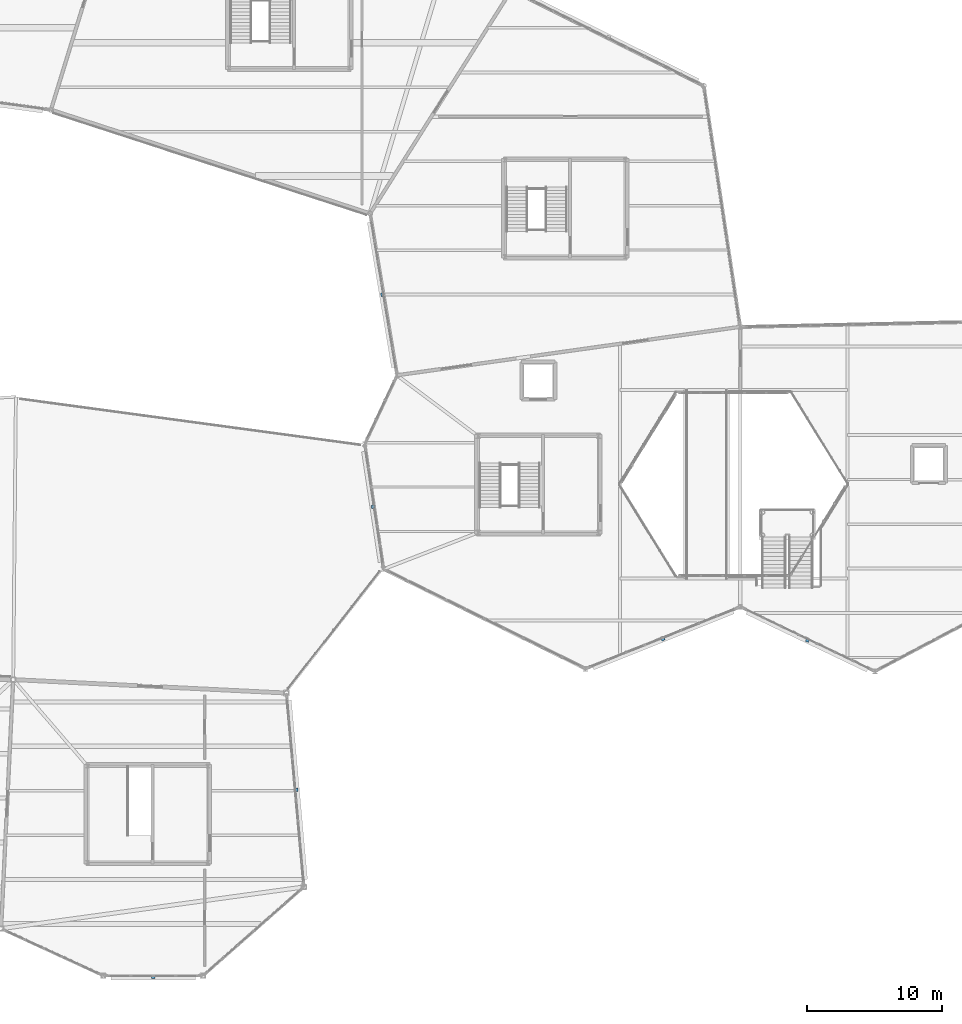
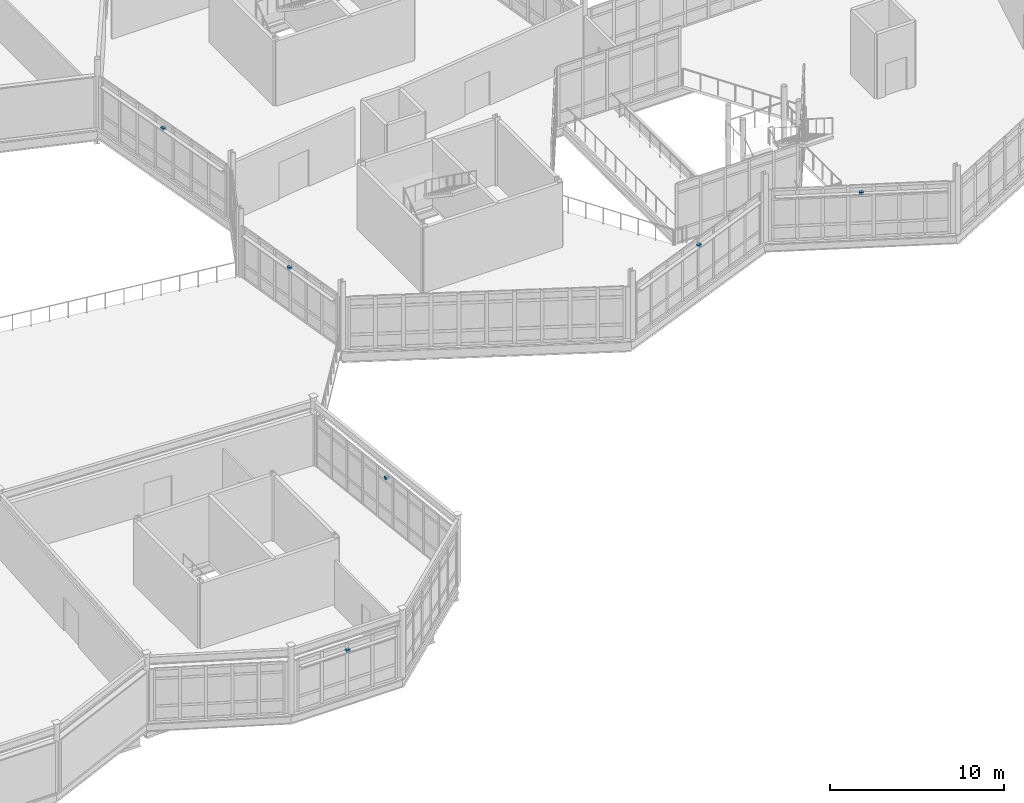
# One storey, part 101 of 114: 6 discrete accessories.
"""IFC4 building model written with IfcOpenShell, lengths in metres."""

from ifc_helpers import new_model, si_unit, direction, frame, origin, origin_2d, place, context, subcontext, project, spatial, rectangle, extrude, material, type_object, element, save


model = new_model("IFC4")

# Units and contexts
model_context = context("Model", 3, precision=1e-05, world=origin(), true_north=direction((0.0, 1.0)))
body_context = subcontext(model_context, "Body", "Model", "MODEL_VIEW")
ifc_project = project(units=[si_unit("LENGTHUNIT", "METRE"), si_unit("AREAUNIT", "SQUARE_METRE"), si_unit("VOLUMEUNIT", "CUBIC_METRE"), si_unit("PLANEANGLEUNIT", "RADIAN"), si_unit("MASSUNIT", "GRAM", prefix="KILO")], contexts=[model_context])

# Site, building, storey
site_placement = place(None, origin())
site = spatial("IfcSite", under=ifc_project, at=site_placement, CompositionType="ELEMENT")
building_placement = place(site_placement, origin())
building = spatial("IfcBuilding", under=site, at=building_placement, Name="Tameran Prism Museum", CompositionType="ELEMENT")
storey_placement = place(building_placement, frame((0.0, 0.0, 10.199951171875)))
storey = spatial("IfcBuildingStorey", under=building, at=storey_placement, Name="L02", CompositionType="ELEMENT", Elevation=10.199951171875)

# Discrete accessories
ifc_material = material(Name="Galvanized Steel Grade 350 (350 MPa)", Category="steel")
discrete_accessory_type = type_object("IfcDiscreteAccessoryType", Name="DA-BRK-STL", PredefinedType="BRACKET", material=ifc_material)
for number, where, z_axis, x_axis, name in (
    (1, (50.220947265625, 34.837890625, 3.09033203125), (0.0, 0.0, 1.0), (-0.148845024885, 0.988860535448, 0.0), "Facade Sunshade Bracket BK-043"),
    (2, (71.751953125, 25.014892578125, 3.09033203125), (0.0, 0.0, 1.0), (-0.928485826881, -0.37136783555, 0.0), "Facade Sunshade Bracket BK-044"),
    (3, (82.491943359375, 24.9150390625, 3.09033203125), (0.0, 0.0, 1.0), (-0.9015306539, 0.43271524133, 0.0), "Facade Sunshade Bracket BK-045"),
    (4, (50.9208984375, 50.5869140625, 3.09033203125), (0.0, 0.0, 1.0), (-0.164359008451, 0.986400586142, 0.0), "Facade Sunshade Bracket BK-047"),
    (5, (33.89990234375, -0.080078125, 3.09033203125), (0.0, 0.0, 1.0), (-1.0, 0.0, 0.0), "Facade Sunshade Bracket BK-051"),
    (6, (44.530029296875, 13.806884765625, 3.09033203125), (0.0, 0.0, 1.0), (0.089937299699, -0.995947429397, 0.0), "Facade Sunshade Bracket BK-052"),
):
    element("IfcDiscreteAccessory", number, at=place(storey_placement, frame(where, z_axis=z_axis, x_axis=x_axis)), inside=storey, type_object=discrete_accessory_type, Name=name, PredefinedType="BRACKET", context=body_context, shape_type="SweptSolid", body=[
        extrude(rectangle(XDim=0.239990234375, YDim=0.239990234375, at=origin_2d()), origin(), (0.0, 0.0, 1.0), 0.159912109375),
    ])

save(model, "model.ifc")
